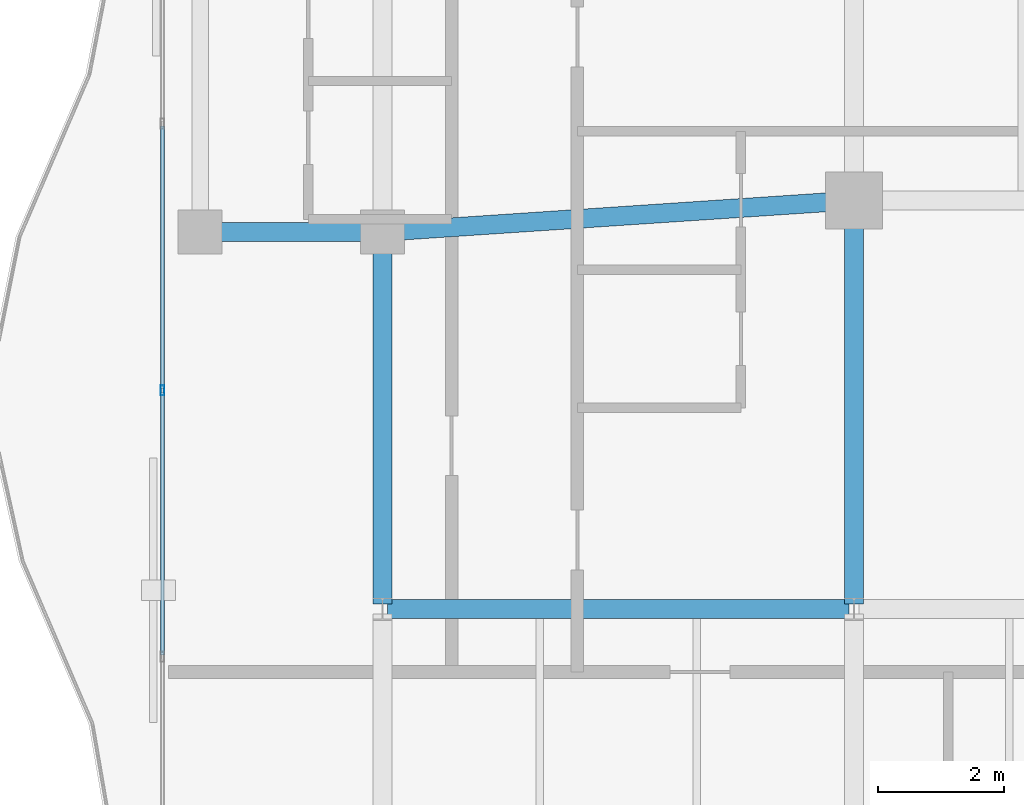
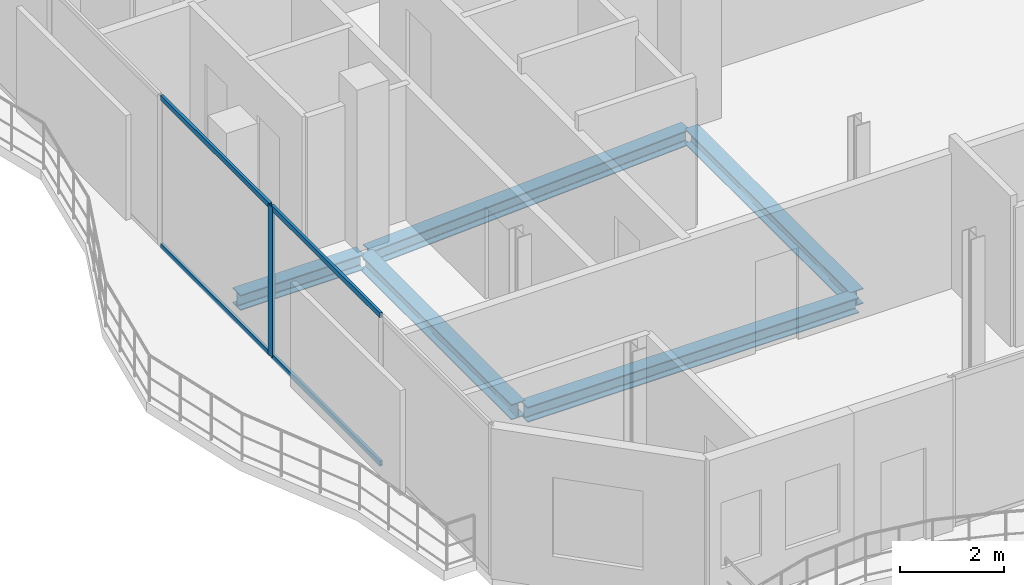
# One storey, part 6 of 23: 5 beams, 5 members, 1 element without a shape of its own.
"""IFC4 building model written with IfcOpenShell, lengths in metres."""

from ifc_helpers import new_model, si_unit, direction, frame, origin, origin_2d, place, context, subcontext, project, spatial, hollow_rectangle, i_section, extrude, material, layer, layer_set, material_profile, profile_set, type_object, element, aggregate, save


model = new_model("IFC4")

# Units and contexts
model_context = context("Model", 3, precision=1e-05, world=origin(), true_north=direction((0.0, 1.0)))
body_context = subcontext(model_context, "Body", "Model", "MODEL_VIEW")
ifc_project = project(units=[si_unit("LENGTHUNIT", "METRE"), si_unit("AREAUNIT", "SQUARE_METRE"), si_unit("VOLUMEUNIT", "CUBIC_METRE"), si_unit("PLANEANGLEUNIT", "RADIAN"), si_unit("MASSUNIT", "GRAM", prefix="KILO")], contexts=[model_context])

# Site, building, storey
site_placement = place(None, origin())
site = spatial("IfcSite", under=ifc_project, at=site_placement, CompositionType="ELEMENT")
building_placement = place(site_placement, origin())
building = spatial("IfcBuilding", under=site, at=building_placement, Name="Catumbela Crestline Tower", CompositionType="ELEMENT")
storey_placement = place(building_placement, frame((0.0, 0.0, 248.8)))
storey = spatial("IfcBuildingStorey", under=building, at=storey_placement, Name="L64", CompositionType="ELEMENT", Elevation=248.8)

# Beams
ifc_material_1 = material(Name="Structural steel S355J2", Category="steel")
ifc_material_profile_1 = material_profile(ifc_material_1, i_section(OverallWidth=0.3, OverallDepth=0.36, WebThickness=0.0125, FlangeThickness=0.0225, FilletRadius=0.027, at=origin_2d()), Name="HEB 360")
ifc_profile_set_1 = profile_set([ifc_material_profile_1], Name="Structural steel S355J2")
beam_type = type_object("IfcBeamType", Name="BG-HEB360", PredefinedType="BEAM", material=ifc_profile_set_1)
beam_1_placement = place(storey_placement, frame((5.68, 24.0, -0.44), z_axis=(1.0, 0.0, 0.0), x_axis=(0.0, 1.0, 0.0)))
element("IfcBeam", 1, at=beam_1_placement, inside=storey, type_object=beam_type, Name="L64 Beam BM-L64-S01", PredefinedType="BEAM", context=body_context, shape_type="SweptSolid", body=[
    extrude(i_section(OverallWidth=0.3, OverallDepth=0.36, WebThickness=0.0125, FlangeThickness=0.0225, FilletRadius=0.027, at=origin_2d()), origin(), (0.0, 0.0, 1.0), 2.74),
])
beam_2_placement = place(storey_placement, frame((8.5798, 24.0053, -0.44), z_axis=(0.997784796964, 0.066524423687, 0.0), x_axis=(-0.066524423687, 0.997784796964, 0.0)))
element("IfcBeam", 2, at=beam_2_placement, inside=storey, type_object=beam_type, Name="L64 Beam BM-L64-S02", PredefinedType="BEAM", context=body_context, shape_type="SweptSolid", body=[
    extrude(i_section(OverallWidth=0.3, OverallDepth=0.36, WebThickness=0.0125, FlangeThickness=0.0225, FilletRadius=0.027, at=origin_2d()), origin(), (0.0, 0.0, 1.0), 7.3567),
])
beam_3_placement = place(storey_placement, frame((8.58, 18.0, -0.44), z_axis=(1.0, 0.0, 0.0), x_axis=(0.0, 1.0, 0.0)))
element("IfcBeam", 3, at=beam_3_placement, inside=storey, type_object=beam_type, Name="L64 Beam BM-L64-WEW29", PredefinedType="BEAM", context=body_context, shape_type="SweptSolid", body=[
    extrude(i_section(OverallWidth=0.3, OverallDepth=0.36, WebThickness=0.0125, FlangeThickness=0.0225, FilletRadius=0.027, at=origin_2d()), origin(), (0.0, 0.0, 1.0), 7.34),
])
beam_4_placement = place(storey_placement, frame((8.5, 18.08, -0.44), z_axis=(0.0, 1.0, 0.0), x_axis=(-1.0, 0.0, 0.0)))
element("IfcBeam", 4, at=beam_4_placement, inside=storey, type_object=beam_type, Name="L64 Beam BM-L64-WNS32", PredefinedType="BEAM", context=body_context, shape_type="SweptSolid", body=[
    extrude(i_section(OverallWidth=0.3, OverallDepth=0.36, WebThickness=0.0125, FlangeThickness=0.0225, FilletRadius=0.027, at=origin_2d()), origin(), (0.0, 0.0, 1.0), 5.84),
])
beam_5_placement = place(storey_placement, frame((16.0, 18.08, -0.44), z_axis=(0.0, 1.0, 0.0), x_axis=(-1.0, 0.0, 0.0)))
element("IfcBeam", 5, at=beam_5_placement, inside=storey, type_object=beam_type, Name="L64 Beam BM-L64-WNS34", PredefinedType="BEAM", context=body_context, shape_type="SweptSolid", body=[
    extrude(i_section(OverallWidth=0.3, OverallDepth=0.36, WebThickness=0.0125, FlangeThickness=0.0225, FilletRadius=0.027, at=origin_2d()), origin(), (0.0, 0.0, 1.0), 6.34),
])

# Curtain wall, members
ifc_material_2 = material(Name="Aluminium alloy AW-6060-T66", Category="aluminium")
ifc_layer = layer(ifc_material_2, 0.18, Name="Aluminium alloy AW-6060-T66")
ifc_layer_set = layer_set([ifc_layer], Name="Aluminium alloy AW-6060-T66")
curtain_wall_type = type_object("IfcCurtainWallType", Name="CWU-Z4", PredefinedType="USERDEFINED", material=ifc_layer_set)
curtain_wall_placement = place(storey_placement, origin())
curtain_wall = element("IfcCurtainWall", 6, at=curtain_wall_placement, inside=storey, type_object=curtain_wall_type, Name="L64 Unitised Curtain Wall CW-L64-E9S2", ObjectType="UNITISED", PredefinedType="USERDEFINED")
ifc_material_profile_2 = material_profile(ifc_material_2, hollow_rectangle(XDim=0.06, YDim=0.16, WallThickness=0.004, at=origin_2d()), Name="ALU 160x60x4")
ifc_profile_set_2 = profile_set([ifc_material_profile_2], Name="Aluminium alloy AW-6060-T66")
member_type_1 = type_object("IfcMemberType", Name="MUL-160X60", PredefinedType="MULLION", material=ifc_profile_set_2)
member_1_placement = place(storey_placement, frame((5.0, 21.48, 0.0), z_axis=(0.0, 0.0, 1.0), x_axis=(1.0, 0.0, 0.0)))
member_1 = element("IfcMember", 7, at=member_1_placement, type_object=member_type_1, Name="CWU-Z4 mullion 4", PredefinedType="MULLION", context=body_context, shape_type="SweptSolid", body=[
    extrude(hollow_rectangle(XDim=0.06, YDim=0.16, WallThickness=0.004, at=origin_2d()), origin(), (0.0, 0.0, 1.0), 3.53),
])
ifc_material_profile_3 = material_profile(ifc_material_2, hollow_rectangle(XDim=0.06, YDim=0.12, WallThickness=0.0035, at=origin_2d()), Name="ALU 120x60x3.5")
ifc_profile_set_3 = profile_set([ifc_material_profile_3], Name="Aluminium alloy AW-6060-T66")
member_type_2 = type_object("IfcMemberType", Name="TRN-120X60", PredefinedType="USERDEFINED", material=ifc_profile_set_3)
member_2_placement = place(storey_placement, frame((5.0, 25.6875, 0.03), z_axis=(0.0, -1.0, 0.0), x_axis=(1.0, 0.0, 0.0)))
member_2 = element("IfcMember", 8, at=member_2_placement, type_object=member_type_2, Name="CWU-Z4 transom 3.1", ObjectType="TRANSOM", PredefinedType="USERDEFINED", context=body_context, shape_type="SweptSolid", body=[
    extrude(hollow_rectangle(XDim=0.06, YDim=0.12, WallThickness=0.0035, at=origin_2d()), origin(), (0.0, 0.0, 1.0), 4.175),
])
member_3_placement = place(storey_placement, frame((5.0, 25.6875, 3.5), z_axis=(0.0, -1.0, 0.0), x_axis=(1.0, 0.0, 0.0)))
member_3 = element("IfcMember", 9, at=member_3_placement, type_object=member_type_2, Name="CWU-Z4 transom 3.2", ObjectType="TRANSOM", PredefinedType="USERDEFINED", context=body_context, shape_type="SweptSolid", body=[
    extrude(hollow_rectangle(XDim=0.06, YDim=0.12, WallThickness=0.0035, at=origin_2d()), origin(), (0.0, 0.0, 1.0), 4.175),
])
member_4_placement = place(storey_placement, frame((5.0, 21.4475, 0.03), z_axis=(0.0, -1.0, 0.0), x_axis=(1.0, 0.0, 0.0)))
member_4 = element("IfcMember", 10, at=member_4_placement, type_object=member_type_2, Name="CWU-Z4 transom 4.1", ObjectType="TRANSOM", PredefinedType="USERDEFINED", context=body_context, shape_type="SweptSolid", body=[
    extrude(hollow_rectangle(XDim=0.06, YDim=0.12, WallThickness=0.0035, at=origin_2d()), origin(), (0.0, 0.0, 1.0), 4.175),
])
member_5_placement = place(storey_placement, frame((5.0, 21.4475, 3.5), z_axis=(0.0, -1.0, 0.0), x_axis=(1.0, 0.0, 0.0)))
member_5 = element("IfcMember", 11, at=member_5_placement, type_object=member_type_2, Name="CWU-Z4 transom 4.2", ObjectType="TRANSOM", PredefinedType="USERDEFINED", context=body_context, shape_type="SweptSolid", body=[
    extrude(hollow_rectangle(XDim=0.06, YDim=0.12, WallThickness=0.0035, at=origin_2d()), origin(), (0.0, 0.0, 1.0), 4.175),
])
aggregate(curtain_wall, [member_1, member_2, member_3, member_4, member_5])

save(model, "model.ifc")
